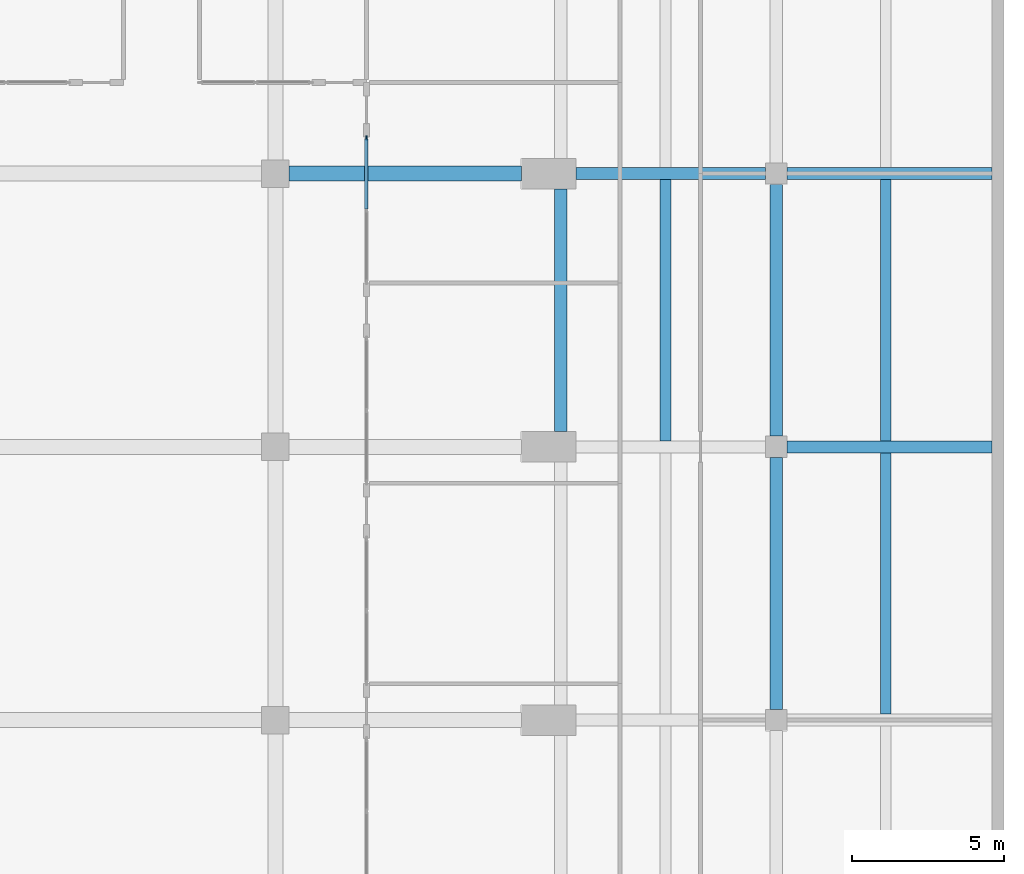
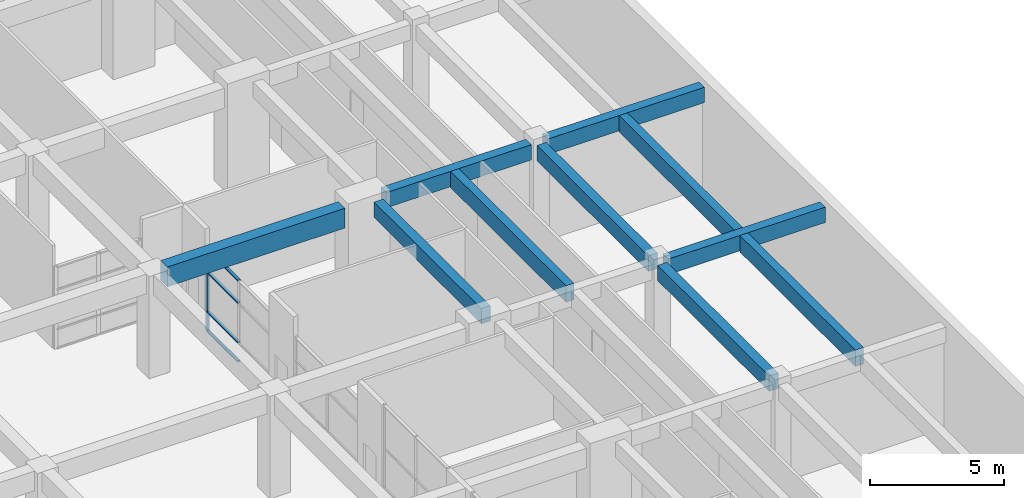
# One storey, part 9 of 29: 10 beams, 5 members, 1 element without a shape of its own.
"""IFC4 building model written with IfcOpenShell, lengths in metres."""

from ifc_helpers import new_model, si_unit, direction, frame, origin, origin_2d, place, context, subcontext, project, spatial, rectangle, extrude, material, material_profile, profile_set, type_object, element, aggregate, save


model = new_model("IFC4")

# Units and contexts
model_context = context("Model", 3, precision=1e-05, world=origin(), true_north=direction((0.0, 1.0)))
body_context = subcontext(model_context, "Body", "Model", "MODEL_VIEW")
ifc_project = project(units=[si_unit("LENGTHUNIT", "METRE"), si_unit("AREAUNIT", "SQUARE_METRE"), si_unit("VOLUMEUNIT", "CUBIC_METRE"), si_unit("PLANEANGLEUNIT", "RADIAN"), si_unit("MASSUNIT", "GRAM", prefix="KILO")], contexts=[model_context])

# Site, building, storey
site_placement = place(None, origin())
site = spatial("IfcSite", under=ifc_project, at=site_placement, CompositionType="ELEMENT")
building_placement = place(site_placement, origin())
building = spatial("IfcBuilding", under=site, at=building_placement, Name="Elmora Arch Market Hall", CompositionType="ELEMENT")
storey_placement = place(building_placement, frame((0.0, 0.0, -5.0)))
storey = spatial("IfcBuildingStorey", under=building, at=storey_placement, Name="LG", CompositionType="ELEMENT", Elevation=-5.0)

# Beam
ifc_material_1 = material(Name="Concrete C32/40", Category="concrete")
ifc_material_profile_1 = material_profile(ifc_material_1, rectangle(XDim=0.5, YDim=0.89990234375, at=origin_2d()), Name="Basement girder 500x900")
ifc_profile_set_1 = profile_set([ifc_material_profile_1], Name="Concrete C32/40")
beam_type_1 = type_object("IfcBeamType", Name="Basement girder 500x900", PredefinedType="BEAM", material=ifc_profile_set_1)
beam_1_placement = place(storey_placement, frame((34.449951171875, 81.0, 4.199951171875), z_axis=(1.0, 0.0, 0.0), x_axis=(0.0, 1.0, 0.0)))
element("IfcBeam", 1, at=beam_1_placement, inside=storey, type_object=beam_type_1, Name="Basement girder HR7 LG.3", PredefinedType="BEAM", context=body_context, shape_type="SweptSolid", body=[
    extrude(rectangle(XDim=0.5, YDim=0.89990234375, at=origin_2d()), origin(), (0.0, 0.0, 1.0), 7.650146484375),
])

# Curtain wall, members
ifc_material_2 = material(Name="Aluminium", Category="aluminium")
curtain_wall_type = type_object("IfcCurtainWallType", Name="Lower ground shopfront curtain wall", PredefinedType="NOTDEFINED", material=ifc_material_2)
curtain_wall_placement = place(storey_placement, origin())
curtain_wall = element("IfcCurtainWall", 2, at=curtain_wall_placement, inside=storey, type_object=curtain_wall_type, Name="Lower ground shopfront E5", PredefinedType="NOTDEFINED")
ifc_material_3 = material(Name="Aluminium", Category="aluminium")
ifc_material_profile_2 = material_profile(ifc_material_3, rectangle(XDim=0.06005859375, YDim=0.159912109375, at=origin_2d()), Name="AL 60x160")
ifc_profile_set_2 = profile_set([ifc_material_profile_2], Name="Aluminium")
member_type_1 = type_object("IfcMemberType", Name="Mullion 60x160", PredefinedType="MULLION", material=ifc_profile_set_2)
member_1_placement = place(storey_placement, frame((37.0, 82.169921875, 0.0), z_axis=(0.0, 0.0, 1.0), x_axis=(-1.0, 0.0, 0.0)))
member_1 = element("IfcMember", 3, at=member_1_placement, type_object=member_type_1, Name="CW6 mullion 3", PredefinedType="MULLION", context=body_context, shape_type="SweptSolid", body=[
    extrude(rectangle(XDim=0.06005859375, YDim=0.159912109375, at=origin_2d()), origin(), (0.0, 0.0, 1.0), 3.75),
])
ifc_material_4 = material(Name="Aluminium", Category="aluminium")
ifc_material_profile_3 = material_profile(ifc_material_4, rectangle(XDim=0.1201171875, YDim=0.06005859375, at=origin_2d()), Name="AL 120x60")
ifc_profile_set_3 = profile_set([ifc_material_profile_3], Name="Aluminium")
member_type_2 = type_object("IfcMemberType", Name="Transom 120x60", PredefinedType="USERDEFINED", material=ifc_profile_set_3)
member_2_placement = place(storey_placement, frame((37.0, 79.830078125, 0.030029296875), z_axis=(0.0, 1.0, 0.0), x_axis=(-1.0, 0.0, 0.0)))
member_2 = element("IfcMember", 4, at=member_2_placement, type_object=member_type_2, Name="CW6 transom 2.1", ObjectType="TRANSOM", PredefinedType="USERDEFINED", context=body_context, shape_type="SweptSolid", body=[
    extrude(rectangle(XDim=0.1201171875, YDim=0.06005859375, at=origin_2d()), origin(), (0.0, 0.0, 1.0), 2.309814453125),
])
member_3_placement = place(storey_placement, frame((37.0, 79.830078125, 0.89990234375), z_axis=(0.0, 1.0, 0.0), x_axis=(-1.0, 0.0, 0.0)))
member_3 = element("IfcMember", 5, at=member_3_placement, type_object=member_type_2, Name="CW6 transom 2.2", ObjectType="TRANSOM", PredefinedType="USERDEFINED", context=body_context, shape_type="SweptSolid", body=[
    extrude(rectangle(XDim=0.1201171875, YDim=0.06005859375, at=origin_2d()), origin(), (0.0, 0.0, 1.0), 2.309814453125),
])
member_4_placement = place(storey_placement, frame((37.0, 79.830078125, 2.699951171875), z_axis=(0.0, 1.0, 0.0), x_axis=(-1.0, 0.0, 0.0)))
member_4 = element("IfcMember", 6, at=member_4_placement, type_object=member_type_2, Name="CW6 transom 2.3", ObjectType="TRANSOM", PredefinedType="USERDEFINED", context=body_context, shape_type="SweptSolid", body=[
    extrude(rectangle(XDim=0.1201171875, YDim=0.06005859375, at=origin_2d()), origin(), (0.0, 0.0, 1.0), 2.309814453125),
])
member_5_placement = place(storey_placement, frame((37.0, 79.830078125, 3.719970703125), z_axis=(0.0, 1.0, 0.0), x_axis=(-1.0, 0.0, 0.0)))
member_5 = element("IfcMember", 7, at=member_5_placement, type_object=member_type_2, Name="CW6 transom 2.4", ObjectType="TRANSOM", PredefinedType="USERDEFINED", context=body_context, shape_type="SweptSolid", body=[
    extrude(rectangle(XDim=0.1201171875, YDim=0.06005859375, at=origin_2d()), origin(), (0.0, 0.0, 1.0), 2.309814453125),
])
aggregate(curtain_wall, [member_1, member_2, member_3, member_4, member_5])

# Beams
ifc_material_5 = material(Name="Concrete C32/40", Category="concrete")
ifc_material_profile_4 = material_profile(ifc_material_5, rectangle(XDim=0.39990234375, YDim=0.699951171875, at=origin_2d()), Name="Wing beam 400x700")
ifc_profile_set_4 = profile_set([ifc_material_profile_4], Name="Concrete C32/40")
beam_type_2 = type_object("IfcBeamType", Name="Wing beam 400x700", PredefinedType="BEAM", material=ifc_profile_set_4)
beam_2_placement = place(storey_placement, frame((50.85009765625, 72.0, 4.35009765625), z_axis=(1.0, 0.0, 0.0), x_axis=(0.0, 1.0, 0.0)))
element("IfcBeam", 8, at=beam_2_placement, inside=storey, type_object=beam_type_2, Name="Wing beam ER6 LG.2", PredefinedType="BEAM", context=body_context, shape_type="SweptSolid", body=[
    extrude(rectangle(XDim=0.39990234375, YDim=0.699951171875, at=origin_2d()), origin(), (0.0, 0.0, 1.0), 6.75),
])
beam_3_placement = place(storey_placement, frame((43.89990234375, 81.0, 4.35009765625), z_axis=(1.0, 0.0, 0.0), x_axis=(0.0, 1.0, 0.0)))
element("IfcBeam", 9, at=beam_3_placement, inside=storey, type_object=beam_type_2, Name="Wing beam ER7 LG.1", PredefinedType="BEAM", context=body_context, shape_type="SweptSolid", body=[
    extrude(rectangle(XDim=0.39990234375, YDim=0.699951171875, at=origin_2d()), origin(), (0.0, 0.0, 1.0), 6.25),
])
beam_4_placement = place(storey_placement, frame((50.85009765625, 81.0, 4.35009765625), z_axis=(1.0, 0.0, 0.0), x_axis=(0.0, 1.0, 0.0)))
element("IfcBeam", 10, at=beam_4_placement, inside=storey, type_object=beam_type_2, Name="Wing beam ER7 LG.2", PredefinedType="BEAM", context=body_context, shape_type="SweptSolid", body=[
    extrude(rectangle(XDim=0.39990234375, YDim=0.699951171875, at=origin_2d()), origin(), (0.0, 0.0, 1.0), 6.75),
])
for number, where, z_axis, x_axis, name in (
    (11, (50.5, 63.35009765625, 4.35009765625), (0.0, 1.0, 0.0), (-1.0, 0.0, 0.0), "Wing beam EG LG.5"),
    (12, (50.5, 72.35009765625, 4.35009765625), (0.0, 1.0, 0.0), (-1.0, 0.0, 0.0), "Wing beam EG LG.6"),
):
    element("IfcBeam", number, at=place(storey_placement, frame(where, z_axis=z_axis, x_axis=x_axis)), inside=storey, type_object=beam_type_2, Name=name, PredefinedType="BEAM", context=body_context, shape_type="SweptSolid", body=[
        extrude(rectangle(XDim=0.39990234375, YDim=0.699951171875, at=origin_2d()), origin(), (0.0, 0.0, 1.0), 8.2998046875),
    ])
beam_5_placement = place(storey_placement, frame((43.39990234375, 72.5, 4.35009765625), z_axis=(0.0, 1.0, 0.0), x_axis=(-1.0, 0.0, 0.0)))
element("IfcBeam", 13, at=beam_5_placement, inside=storey, type_object=beam_type_2, Name="Wing beam EEB LG.6", PredefinedType="BEAM", context=body_context, shape_type="SweptSolid", body=[
    extrude(rectangle(XDim=0.39990234375, YDim=0.699951171875, at=origin_2d()), origin(), (0.0, 0.0, 1.0), 8.0),
])
ifc_material_6 = material(Name="Concrete C32/40", Category="concrete")
ifc_material_profile_5 = material_profile(ifc_material_6, rectangle(XDim=0.35009765625, YDim=0.75, at=origin_2d()), Name="Wing joist 350x750")
ifc_profile_set_5 = profile_set([ifc_material_profile_5], Name="Concrete C32/40")
beam_type_3 = type_object("IfcBeamType", Name="Wing joist 350x750", PredefinedType="JOIST", material=ifc_profile_set_5)
for number, where, z_axis, x_axis, name in (
    (14, (46.85009765625, 72.199951171875, 4.324951171875), (0.0, 1.0, 0.0), (-1.0, 0.0, 0.0), "Wing joist EJ1 LG.6"),
    (15, (54.10009765625, 63.199951171875, 4.324951171875), (0.0, 1.0, 0.0), (-1.0, 0.0, 0.0), "Wing joist EJ2 LG.5"),
    (16, (54.10009765625, 72.199951171875, 4.324951171875), (0.0, 1.0, 0.0), (-1.0, 0.0, 0.0), "Wing joist EJ2 LG.6"),
):
    element("IfcBeam", number, at=place(storey_placement, frame(where, z_axis=z_axis, x_axis=x_axis)), inside=storey, type_object=beam_type_3, Name=name, PredefinedType="JOIST", context=body_context, shape_type="SweptSolid", body=[
        extrude(rectangle(XDim=0.35009765625, YDim=0.75, at=origin_2d()), origin(), (0.0, 0.0, 1.0), 8.60009765625),
    ])

save(model, "model.ifc")
